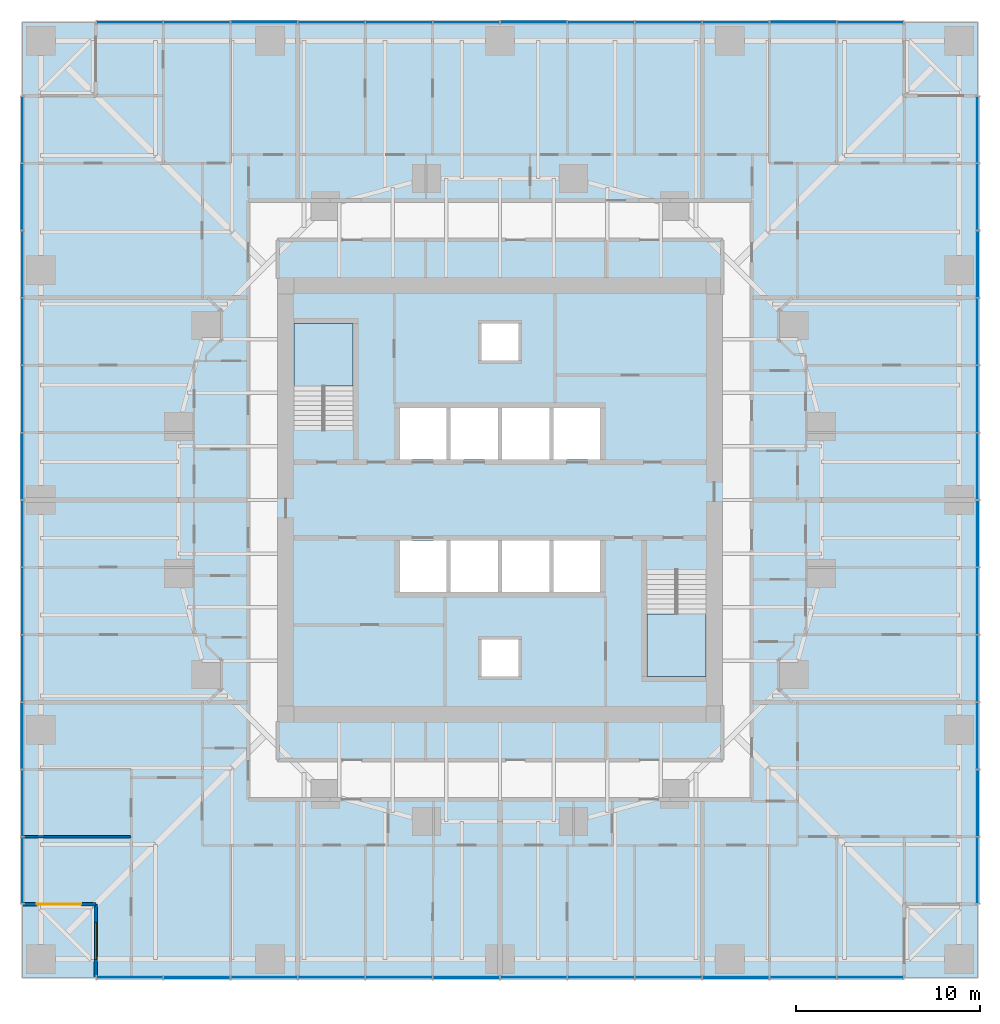
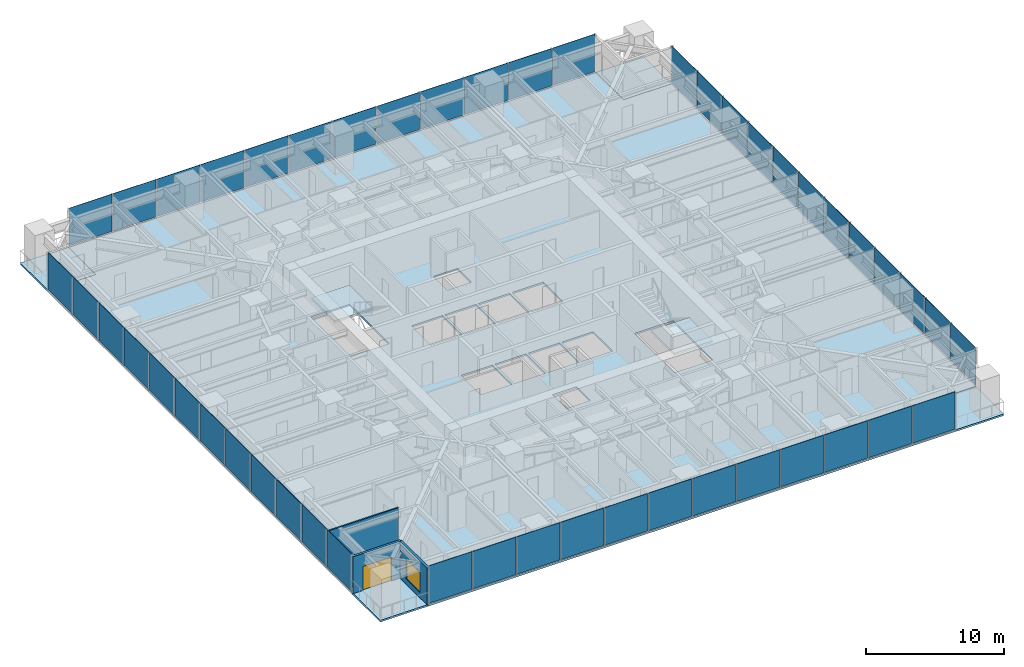
# One storey, part 7 of 18: 48 plates, 7 slabs, 3 walls, 1 door, 1 window, 2 openings, 6 elements without a shape of their own.
"""IFC4 building model written with IfcOpenShell, lengths in metres."""

from ifc_helpers import new_model, si_unit, direction, frame, frame_2d, origin, origin_2d, place, context, subcontext, project, spatial, polyline, rectangle, outline, extrude, material, layer, layer_set, type_object, element, fill, aggregate, save


model = new_model("IFC4")

# Units and contexts
model_context = context("Model", 3, precision=1e-05, world=origin(), true_north=direction((0.0, 1.0)))
body_context = subcontext(model_context, "Body", "Model", "MODEL_VIEW")
ifc_project = project(units=[si_unit("LENGTHUNIT", "METRE"), si_unit("AREAUNIT", "SQUARE_METRE"), si_unit("VOLUMEUNIT", "CUBIC_METRE"), si_unit("PLANEANGLEUNIT", "RADIAN"), si_unit("MASSUNIT", "GRAM", prefix="KILO")], contexts=[model_context])

# Site, building, storey
site_placement = place(None, origin())
site = spatial("IfcSite", under=ifc_project, at=site_placement, CompositionType="ELEMENT")
building_placement = place(site_placement, origin())
building = spatial("IfcBuilding", under=site, at=building_placement, Name="Torsade Residences", CompositionType="ELEMENT")
storey_placement = place(building_placement, frame((0.0, 0.0, 25.199951171875)))
storey = spatial("IfcBuildingStorey", under=building, at=storey_placement, Name="L06", CompositionType="ELEMENT", Elevation=25.199951171875)

# Slab
ifc_material_1 = material(Name="Concrete 40 MPa", Category="concrete")
ifc_layer_1 = layer(ifc_material_1, 0.14990234375)
ifc_layer_set_1 = layer_set([ifc_layer_1], Name="Concrete 40 MPa")
slab_type_1 = type_object("IfcSlabType", Name="COMPOSITE FLOOR SLAB 150", PredefinedType="FLOOR", material=ifc_layer_set_1)
slab_1_placement = place(storey_placement, frame((0.0, 0.0, -0.14990234375)))
element("IfcSlab", 1, at=slab_1_placement, inside=storey, type_object=slab_type_1, Name="Floor slab L06", PredefinedType="FLOOR", context=body_context, shape_type="SweptSolid", body=[
    extrude(outline(polyline([(18.0, 4.0), (62.0, 4.0), (62.0, 8.0), (66.0, 8.0), (66.0, 52.0), (62.0, 52.0), (62.0, 56.0), (18.0, 56.0), (18.0, 52.0), (14.0, 52.0), (14.0, 8.0), (18.0, 8.0), (18.0, 4.0)]), holes=[polyline([(51.199951171875, 20.39990234375), (51.199951171875, 26.1201171875), (48.0, 26.1201171875), (48.0, 20.39990234375), (51.199951171875, 20.39990234375)]), polyline([(45.5, 27.800048828125), (42.89990234375, 27.800048828125), (42.89990234375, 25.0), (45.5, 25.0), (45.5, 27.800048828125)]), polyline([(45.5, 32.199951171875), (45.5, 35.0), (42.89990234375, 35.0), (42.89990234375, 32.199951171875), (45.5, 32.199951171875)]), polyline([(42.699951171875, 25.0), (42.699951171875, 27.800048828125), (40.10009765625, 27.800048828125), (40.10009765625, 25.0), (42.699951171875, 25.0)]), polyline([(42.699951171875, 32.199951171875), (42.699951171875, 35.0), (40.10009765625, 35.0), (40.10009765625, 32.199951171875), (42.699951171875, 32.199951171875)]), polyline([(41.0, 22.39990234375), (39.0, 22.39990234375), (39.0, 20.39990234375), (41.0, 20.39990234375), (41.0, 22.39990234375)]), polyline([(41.0, 37.60009765625), (41.0, 39.60009765625), (39.0, 39.60009765625), (39.0, 37.60009765625), (41.0, 37.60009765625)]), polyline([(39.89990234375, 25.0), (39.89990234375, 27.800048828125), (37.300048828125, 27.800048828125), (37.300048828125, 25.0), (39.89990234375, 25.0)]), polyline([(39.89990234375, 35.0), (37.300048828125, 35.0), (37.300048828125, 32.199951171875), (39.89990234375, 32.199951171875), (39.89990234375, 35.0)]), polyline([(37.10009765625, 27.800048828125), (34.5, 27.800048828125), (34.5, 25.0), (37.10009765625, 25.0), (37.10009765625, 27.800048828125)]), polyline([(37.10009765625, 32.199951171875), (37.10009765625, 35.0), (34.5, 35.0), (34.5, 32.199951171875), (37.10009765625, 32.199951171875)]), polyline([(32.0, 33.8798828125), (32.0, 39.60009765625), (28.800048828125, 39.60009765625), (28.800048828125, 33.8798828125), (32.0, 33.8798828125)])]), origin(), (0.0, 0.0, 1.0), 0.14990234375),
])

# Curtain wall, plates
ifc_material_2 = material(Name="Aluminium and glass", Category="aluminium")
curtain_wall_type = type_object("IfcCurtainWallType", Name="FRITTED GLASS CURTAIN WALL LOW ZONE", PredefinedType="NOTDEFINED", material=ifc_material_2)
curtain_wall_1_placement = place(storey_placement, origin())
curtain_wall_1 = element("IfcCurtainWall", 2, at=curtain_wall_1_placement, inside=storey, type_object=curtain_wall_type, Name="Curtain wall L06 face 1", PredefinedType="NOTDEFINED")
ifc_material_3 = material(Name="Laminated glass", Category="glass")
ifc_layer_2 = layer(ifc_material_3, 0.031982421875)
ifc_layer_set_2 = layer_set([ifc_layer_2], Name="Laminated glass")
plate_type_1 = type_object("IfcPlateType", Name="FRITTED GLASS PANEL", PredefinedType="CURTAIN_PANEL", material=ifc_layer_set_2)
plate_1_placement = place(storey_placement, frame((19.849609375, 4.0, 0.10009765625), z_axis=(0.0, 0.0, 1.0), x_axis=(1.0, 0.0, 0.0)))
plate_1 = element("IfcPlate", 3, at=plate_1_placement, type_object=plate_type_1, Name="Panel 1", PredefinedType="CURTAIN_PANEL", context=body_context, shape_type="SweptSolid", body=[
    extrude(rectangle(XDim=3.569091796875, YDim=0.031982421875, at=origin_2d()), origin(), (0.0, 0.0, 1.0), 3.300048828125),
])
plate_2_placement = place(storey_placement, frame((27.166748046875, 4.0, 0.10009765625), z_axis=(0.0, 0.0, 1.0), x_axis=(1.0, 0.0, 0.0)))
plate_2 = element("IfcPlate", 4, at=plate_2_placement, type_object=plate_type_1, Name="Panel 3", PredefinedType="CURTAIN_PANEL", context=body_context, shape_type="SweptSolid", body=[
    extrude(rectangle(XDim=3.6015625, YDim=0.031982421875, at=origin_2d()), origin(), (0.0, 0.0, 1.0), 3.300048828125),
])
plate_3_placement = place(storey_placement, frame((30.833251953125, 4.0, 0.10009765625), z_axis=(0.0, 0.0, 1.0), x_axis=(1.0, 0.0, 0.0)))
plate_3 = element("IfcPlate", 5, at=plate_3_placement, type_object=plate_type_1, Name="Panel 4", PredefinedType="CURTAIN_PANEL", context=body_context, shape_type="SweptSolid", body=[
    extrude(rectangle(XDim=3.6015625, YDim=0.031982421875, at=origin_2d()), origin(), (0.0, 0.0, 1.0), 3.300048828125),
])
plate_4_placement = place(storey_placement, frame((34.5, 4.0, 0.10009765625), z_axis=(0.0, 0.0, 1.0), x_axis=(1.0, 0.0, 0.0)))
plate_4 = element("IfcPlate", 6, at=plate_4_placement, type_object=plate_type_1, Name="Panel 5", PredefinedType="CURTAIN_PANEL", context=body_context, shape_type="SweptSolid", body=[
    extrude(rectangle(XDim=3.6015625, YDim=0.031982421875, at=origin_2d()), origin(), (0.0, 0.0, 1.0), 3.300048828125),
])
plate_5_placement = place(storey_placement, frame((41.833251953125, 4.0, 0.10009765625), z_axis=(0.0, 0.0, 1.0), x_axis=(1.0, 0.0, 0.0)))
plate_5 = element("IfcPlate", 7, at=plate_5_placement, type_object=plate_type_1, Name="Panel 7", PredefinedType="CURTAIN_PANEL", context=body_context, shape_type="SweptSolid", body=[
    extrude(rectangle(XDim=3.6015625, YDim=0.031982421875, at=origin_2d()), origin(), (0.0, 0.0, 1.0), 3.300048828125),
])
plate_6_placement = place(storey_placement, frame((45.5, 4.0, 0.10009765625), z_axis=(0.0, 0.0, 1.0), x_axis=(1.0, 0.0, 0.0)))
plate_6 = element("IfcPlate", 8, at=plate_6_placement, type_object=plate_type_1, Name="Panel 8", PredefinedType="CURTAIN_PANEL", context=body_context, shape_type="SweptSolid", body=[
    extrude(rectangle(XDim=3.6015625, YDim=0.031982421875, at=origin_2d()), origin(), (0.0, 0.0, 1.0), 3.300048828125),
])
plate_7_placement = place(storey_placement, frame((49.166748046875, 4.0, 0.10009765625), z_axis=(0.0, 0.0, 1.0), x_axis=(1.0, 0.0, 0.0)))
plate_7 = element("IfcPlate", 9, at=plate_7_placement, type_object=plate_type_1, Name="Panel 9", PredefinedType="CURTAIN_PANEL", context=body_context, shape_type="SweptSolid", body=[
    extrude(rectangle(XDim=3.6015625, YDim=0.031982421875, at=origin_2d()), origin(), (0.0, 0.0, 1.0), 3.300048828125),
])
plate_8_placement = place(storey_placement, frame((56.5, 4.0, 0.10009765625), z_axis=(0.0, 0.0, 1.0), x_axis=(1.0, 0.0, 0.0)))
plate_8 = element("IfcPlate", 10, at=plate_8_placement, type_object=plate_type_1, Name="Panel 11", PredefinedType="CURTAIN_PANEL", context=body_context, shape_type="SweptSolid", body=[
    extrude(rectangle(XDim=3.6015625, YDim=0.031982421875, at=origin_2d()), origin(), (0.0, 0.0, 1.0), 3.300048828125),
])
plate_9_placement = place(storey_placement, frame((60.150390625, 4.0, 0.10009765625), z_axis=(0.0, 0.0, 1.0), x_axis=(1.0, 0.0, 0.0)))
plate_9 = element("IfcPlate", 11, at=plate_9_placement, type_object=plate_type_1, Name="Panel 12", PredefinedType="CURTAIN_PANEL", context=body_context, shape_type="SweptSolid", body=[
    extrude(rectangle(XDim=3.569091796875, YDim=0.031982421875, at=origin_2d()), origin(), (0.0, 0.0, 1.0), 3.300048828125),
])

curtain_wall_2_placement = place(storey_placement, origin())
curtain_wall_2 = element("IfcCurtainWall", 12, at=curtain_wall_2_placement, inside=storey, type_object=curtain_wall_type, Name="Curtain wall L06 face 4", PredefinedType="NOTDEFINED")
plate_10_placement = place(storey_placement, frame((66.0, 9.849609375, 0.10009765625), z_axis=(0.0, 0.0, 1.0), x_axis=(0.0, 1.0, 0.0)))
plate_10 = element("IfcPlate", 13, at=plate_10_placement, type_object=plate_type_1, Name="Panel 1", PredefinedType="CURTAIN_PANEL", context=body_context, shape_type="SweptSolid", body=[
    extrude(rectangle(XDim=3.569091796875, YDim=0.031982421875, at=origin_2d()), origin(), (0.0, 0.0, 1.0), 3.300048828125),
])
plate_11_placement = place(storey_placement, frame((66.0, 17.166748046875, 0.10009765625), z_axis=(0.0, 0.0, 1.0), x_axis=(0.0, 1.0, 0.0)))
plate_11 = element("IfcPlate", 14, at=plate_11_placement, type_object=plate_type_1, Name="Panel 3", PredefinedType="CURTAIN_PANEL", context=body_context, shape_type="SweptSolid", body=[
    extrude(rectangle(XDim=3.6015625, YDim=0.031982421875, at=origin_2d()), origin(), (0.0, 0.0, 1.0), 3.300048828125),
])
plate_12_placement = place(storey_placement, frame((66.0, 20.833251953125, 0.10009765625), z_axis=(0.0, 0.0, 1.0), x_axis=(0.0, 1.0, 0.0)))
plate_12 = element("IfcPlate", 15, at=plate_12_placement, type_object=plate_type_1, Name="Panel 4", PredefinedType="CURTAIN_PANEL", context=body_context, shape_type="SweptSolid", body=[
    extrude(rectangle(XDim=3.6015625, YDim=0.031982421875, at=origin_2d()), origin(), (0.0, 0.0, 1.0), 3.300048828125),
])
plate_13_placement = place(storey_placement, frame((66.0, 24.5, 0.10009765625), z_axis=(0.0, 0.0, 1.0), x_axis=(0.0, 1.0, 0.0)))
plate_13 = element("IfcPlate", 16, at=plate_13_placement, type_object=plate_type_1, Name="Panel 5", PredefinedType="CURTAIN_PANEL", context=body_context, shape_type="SweptSolid", body=[
    extrude(rectangle(XDim=3.6015625, YDim=0.031982421875, at=origin_2d()), origin(), (0.0, 0.0, 1.0), 3.300048828125),
])
plate_14_placement = place(storey_placement, frame((66.0, 31.833251953125, 0.10009765625), z_axis=(0.0, 0.0, 1.0), x_axis=(0.0, 1.0, 0.0)))
plate_14 = element("IfcPlate", 17, at=plate_14_placement, type_object=plate_type_1, Name="Panel 7", PredefinedType="CURTAIN_PANEL", context=body_context, shape_type="SweptSolid", body=[
    extrude(rectangle(XDim=3.6015625, YDim=0.031982421875, at=origin_2d()), origin(), (0.0, 0.0, 1.0), 3.300048828125),
])
plate_15_placement = place(storey_placement, frame((66.0, 35.5, 0.10009765625), z_axis=(0.0, 0.0, 1.0), x_axis=(0.0, 1.0, 0.0)))
plate_15 = element("IfcPlate", 18, at=plate_15_placement, type_object=plate_type_1, Name="Panel 8", PredefinedType="CURTAIN_PANEL", context=body_context, shape_type="SweptSolid", body=[
    extrude(rectangle(XDim=3.6015625, YDim=0.031982421875, at=origin_2d()), origin(), (0.0, 0.0, 1.0), 3.300048828125),
])
plate_16_placement = place(storey_placement, frame((66.0, 39.166748046875, 0.10009765625), z_axis=(0.0, 0.0, 1.0), x_axis=(0.0, 1.0, 0.0)))
plate_16 = element("IfcPlate", 19, at=plate_16_placement, type_object=plate_type_1, Name="Panel 9", PredefinedType="CURTAIN_PANEL", context=body_context, shape_type="SweptSolid", body=[
    extrude(rectangle(XDim=3.6015625, YDim=0.031982421875, at=origin_2d()), origin(), (0.0, 0.0, 1.0), 3.300048828125),
])
plate_17_placement = place(storey_placement, frame((66.0, 46.5, 0.10009765625), z_axis=(0.0, 0.0, 1.0), x_axis=(0.0, 1.0, 0.0)))
plate_17 = element("IfcPlate", 20, at=plate_17_placement, type_object=plate_type_1, Name="Panel 11", PredefinedType="CURTAIN_PANEL", context=body_context, shape_type="SweptSolid", body=[
    extrude(rectangle(XDim=3.6015625, YDim=0.031982421875, at=origin_2d()), origin(), (0.0, 0.0, 1.0), 3.300048828125),
])
plate_18_placement = place(storey_placement, frame((66.0, 50.150390625, 0.10009765625), z_axis=(0.0, 0.0, 1.0), x_axis=(0.0, 1.0, 0.0)))
plate_18 = element("IfcPlate", 21, at=plate_18_placement, type_object=plate_type_1, Name="Panel 12", PredefinedType="CURTAIN_PANEL", context=body_context, shape_type="SweptSolid", body=[
    extrude(rectangle(XDim=3.569091796875, YDim=0.031982421875, at=origin_2d()), origin(), (0.0, 0.0, 1.0), 3.300048828125),
])

curtain_wall_3_placement = place(storey_placement, origin())
curtain_wall_3 = element("IfcCurtainWall", 22, at=curtain_wall_3_placement, inside=storey, type_object=curtain_wall_type, Name="Curtain wall L06 face 7", PredefinedType="NOTDEFINED")
plate_19_placement = place(storey_placement, frame((60.150390625, 56.0, 0.10009765625), z_axis=(0.0, 0.0, 1.0), x_axis=(-1.0, 0.0, 0.0)))
plate_19 = element("IfcPlate", 23, at=plate_19_placement, type_object=plate_type_1, Name="Panel 1", PredefinedType="CURTAIN_PANEL", context=body_context, shape_type="SweptSolid", body=[
    extrude(rectangle(XDim=3.569091796875, YDim=0.031982421875, at=origin_2d()), origin(), (0.0, 0.0, 1.0), 3.300048828125),
])
plate_20_placement = place(storey_placement, frame((52.833251953125, 56.0, 0.10009765625), z_axis=(0.0, 0.0, 1.0), x_axis=(-1.0, 0.0, 0.0)))
plate_20 = element("IfcPlate", 24, at=plate_20_placement, type_object=plate_type_1, Name="Panel 3", PredefinedType="CURTAIN_PANEL", context=body_context, shape_type="SweptSolid", body=[
    extrude(rectangle(XDim=3.6015625, YDim=0.031982421875, at=origin_2d()), origin(), (0.0, 0.0, 1.0), 3.300048828125),
])
plate_21_placement = place(storey_placement, frame((49.166748046875, 56.0, 0.10009765625), z_axis=(0.0, 0.0, 1.0), x_axis=(-1.0, 0.0, 0.0)))
plate_21 = element("IfcPlate", 25, at=plate_21_placement, type_object=plate_type_1, Name="Panel 4", PredefinedType="CURTAIN_PANEL", context=body_context, shape_type="SweptSolid", body=[
    extrude(rectangle(XDim=3.6015625, YDim=0.031982421875, at=origin_2d()), origin(), (0.0, 0.0, 1.0), 3.300048828125),
])
plate_22_placement = place(storey_placement, frame((45.5, 56.0, 0.10009765625), z_axis=(0.0, 0.0, 1.0), x_axis=(-1.0, 0.0, 0.0)))
plate_22 = element("IfcPlate", 26, at=plate_22_placement, type_object=plate_type_1, Name="Panel 5", PredefinedType="CURTAIN_PANEL", context=body_context, shape_type="SweptSolid", body=[
    extrude(rectangle(XDim=3.6015625, YDim=0.031982421875, at=origin_2d()), origin(), (0.0, 0.0, 1.0), 3.300048828125),
])
plate_23_placement = place(storey_placement, frame((38.166748046875, 56.0, 0.10009765625), z_axis=(0.0, 0.0, 1.0), x_axis=(-1.0, 0.0, 0.0)))
plate_23 = element("IfcPlate", 27, at=plate_23_placement, type_object=plate_type_1, Name="Panel 7", PredefinedType="CURTAIN_PANEL", context=body_context, shape_type="SweptSolid", body=[
    extrude(rectangle(XDim=3.6015625, YDim=0.031982421875, at=origin_2d()), origin(), (0.0, 0.0, 1.0), 3.300048828125),
])
plate_24_placement = place(storey_placement, frame((34.5, 56.0, 0.10009765625), z_axis=(0.0, 0.0, 1.0), x_axis=(-1.0, 0.0, 0.0)))
plate_24 = element("IfcPlate", 28, at=plate_24_placement, type_object=plate_type_1, Name="Panel 8", PredefinedType="CURTAIN_PANEL", context=body_context, shape_type="SweptSolid", body=[
    extrude(rectangle(XDim=3.6015625, YDim=0.031982421875, at=origin_2d()), origin(), (0.0, 0.0, 1.0), 3.300048828125),
])
plate_25_placement = place(storey_placement, frame((30.833251953125, 56.0, 0.10009765625), z_axis=(0.0, 0.0, 1.0), x_axis=(-1.0, 0.0, 0.0)))
plate_25 = element("IfcPlate", 29, at=plate_25_placement, type_object=plate_type_1, Name="Panel 9", PredefinedType="CURTAIN_PANEL", context=body_context, shape_type="SweptSolid", body=[
    extrude(rectangle(XDim=3.6015625, YDim=0.031982421875, at=origin_2d()), origin(), (0.0, 0.0, 1.0), 3.300048828125),
])
plate_26_placement = place(storey_placement, frame((23.5, 56.0, 0.10009765625), z_axis=(0.0, 0.0, 1.0), x_axis=(-1.0, 0.0, 0.0)))
plate_26 = element("IfcPlate", 30, at=plate_26_placement, type_object=plate_type_1, Name="Panel 11", PredefinedType="CURTAIN_PANEL", context=body_context, shape_type="SweptSolid", body=[
    extrude(rectangle(XDim=3.6015625, YDim=0.031982421875, at=origin_2d()), origin(), (0.0, 0.0, 1.0), 3.300048828125),
])
plate_27_placement = place(storey_placement, frame((19.849609375, 56.0, 0.10009765625), z_axis=(0.0, 0.0, 1.0), x_axis=(-1.0, 0.0, 0.0)))
plate_27 = element("IfcPlate", 31, at=plate_27_placement, type_object=plate_type_1, Name="Panel 12", PredefinedType="CURTAIN_PANEL", context=body_context, shape_type="SweptSolid", body=[
    extrude(rectangle(XDim=3.569091796875, YDim=0.031982421875, at=origin_2d()), origin(), (0.0, 0.0, 1.0), 3.300048828125),
])

curtain_wall_4_placement = place(storey_placement, origin())
curtain_wall_4 = element("IfcCurtainWall", 32, at=curtain_wall_4_placement, inside=storey, type_object=curtain_wall_type, Name="Curtain wall L06 face 10", PredefinedType="NOTDEFINED")
plate_28_placement = place(storey_placement, frame((14.0, 50.150390625, 0.10009765625), z_axis=(0.0, 0.0, 1.0), x_axis=(0.0, -1.0, 0.0)))
plate_28 = element("IfcPlate", 33, at=plate_28_placement, type_object=plate_type_1, Name="Panel 1", PredefinedType="CURTAIN_PANEL", context=body_context, shape_type="SweptSolid", body=[
    extrude(rectangle(XDim=3.569091796875, YDim=0.031982421875, at=origin_2d()), origin(), (0.0, 0.0, 1.0), 3.300048828125),
])
plate_29_placement = place(storey_placement, frame((14.0, 42.833251953125, 0.10009765625), z_axis=(0.0, 0.0, 1.0), x_axis=(0.0, -1.0, 0.0)))
plate_29 = element("IfcPlate", 34, at=plate_29_placement, type_object=plate_type_1, Name="Panel 3", PredefinedType="CURTAIN_PANEL", context=body_context, shape_type="SweptSolid", body=[
    extrude(rectangle(XDim=3.6015625, YDim=0.031982421875, at=origin_2d()), origin(), (0.0, 0.0, 1.0), 3.300048828125),
])
plate_30_placement = place(storey_placement, frame((14.0, 39.166748046875, 0.10009765625), z_axis=(0.0, 0.0, 1.0), x_axis=(0.0, -1.0, 0.0)))
plate_30 = element("IfcPlate", 35, at=plate_30_placement, type_object=plate_type_1, Name="Panel 4", PredefinedType="CURTAIN_PANEL", context=body_context, shape_type="SweptSolid", body=[
    extrude(rectangle(XDim=3.6015625, YDim=0.031982421875, at=origin_2d()), origin(), (0.0, 0.0, 1.0), 3.300048828125),
])
plate_31_placement = place(storey_placement, frame((14.0, 35.5, 0.10009765625), z_axis=(0.0, 0.0, 1.0), x_axis=(0.0, -1.0, 0.0)))
plate_31 = element("IfcPlate", 36, at=plate_31_placement, type_object=plate_type_1, Name="Panel 5", PredefinedType="CURTAIN_PANEL", context=body_context, shape_type="SweptSolid", body=[
    extrude(rectangle(XDim=3.6015625, YDim=0.031982421875, at=origin_2d()), origin(), (0.0, 0.0, 1.0), 3.300048828125),
])
plate_32_placement = place(storey_placement, frame((14.0, 28.166748046875, 0.10009765625), z_axis=(0.0, 0.0, 1.0), x_axis=(0.0, -1.0, 0.0)))
plate_32 = element("IfcPlate", 37, at=plate_32_placement, type_object=plate_type_1, Name="Panel 7", PredefinedType="CURTAIN_PANEL", context=body_context, shape_type="SweptSolid", body=[
    extrude(rectangle(XDim=3.6015625, YDim=0.031982421875, at=origin_2d()), origin(), (0.0, 0.0, 1.0), 3.300048828125),
])
plate_33_placement = place(storey_placement, frame((14.0, 24.5, 0.10009765625), z_axis=(0.0, 0.0, 1.0), x_axis=(0.0, -1.0, 0.0)))
plate_33 = element("IfcPlate", 38, at=plate_33_placement, type_object=plate_type_1, Name="Panel 8", PredefinedType="CURTAIN_PANEL", context=body_context, shape_type="SweptSolid", body=[
    extrude(rectangle(XDim=3.6015625, YDim=0.031982421875, at=origin_2d()), origin(), (0.0, 0.0, 1.0), 3.300048828125),
])
plate_34_placement = place(storey_placement, frame((14.0, 20.833251953125, 0.10009765625), z_axis=(0.0, 0.0, 1.0), x_axis=(0.0, -1.0, 0.0)))
plate_34 = element("IfcPlate", 39, at=plate_34_placement, type_object=plate_type_1, Name="Panel 9", PredefinedType="CURTAIN_PANEL", context=body_context, shape_type="SweptSolid", body=[
    extrude(rectangle(XDim=3.6015625, YDim=0.031982421875, at=origin_2d()), origin(), (0.0, 0.0, 1.0), 3.300048828125),
])
plate_35_placement = place(storey_placement, frame((14.0, 13.5, 0.10009765625), z_axis=(0.0, 0.0, 1.0), x_axis=(0.0, -1.0, 0.0)))
plate_35 = element("IfcPlate", 40, at=plate_35_placement, type_object=plate_type_1, Name="Panel 11", PredefinedType="CURTAIN_PANEL", context=body_context, shape_type="SweptSolid", body=[
    extrude(rectangle(XDim=3.6015625, YDim=0.031982421875, at=origin_2d()), origin(), (0.0, 0.0, 1.0), 3.300048828125),
])
plate_36_placement = place(storey_placement, frame((14.0, 9.849609375, 0.10009765625), z_axis=(0.0, 0.0, 1.0), x_axis=(0.0, -1.0, 0.0)))
plate_36 = element("IfcPlate", 41, at=plate_36_placement, type_object=plate_type_1, Name="Panel 12", PredefinedType="CURTAIN_PANEL", context=body_context, shape_type="SweptSolid", body=[
    extrude(rectangle(XDim=3.569091796875, YDim=0.031982421875, at=origin_2d()), origin(), (0.0, 0.0, 1.0), 3.300048828125),
])

# Plate
ifc_material_4 = material(Name="Laminated glass", Category="glass")
ifc_layer_3 = layer(ifc_material_4, 0.0400390625)
ifc_layer_set_3 = layer_set([ifc_layer_3], Name="Laminated glass")
plate_type_2 = type_object("IfcPlateType", Name="OPERABLE VENT PANEL", PredefinedType="CURTAIN_PANEL", material=ifc_layer_set_3)
plate_37_placement = place(storey_placement, frame((23.5, 4.0, 0.10009765625), z_axis=(0.0, 0.0, 1.0), x_axis=(1.0, 0.0, 0.0)))
plate_37 = element("IfcPlate", 42, at=plate_37_placement, type_object=plate_type_2, Name="Panel 2", PredefinedType="CURTAIN_PANEL", context=body_context, shape_type="SweptSolid", body=[
    extrude(rectangle(XDim=3.6015625, YDim=0.0400390625, at=origin_2d()), origin(), (0.0, 0.0, 1.0), 3.300048828125),
])

plate_38_placement = place(storey_placement, frame((38.166748046875, 4.0, 0.10009765625), z_axis=(0.0, 0.0, 1.0), x_axis=(1.0, 0.0, 0.0)))
plate_38 = element("IfcPlate", 43, at=plate_38_placement, type_object=plate_type_2, Name="Panel 6", PredefinedType="CURTAIN_PANEL", context=body_context, shape_type="SweptSolid", body=[
    extrude(rectangle(XDim=3.6015625, YDim=0.0400390625, at=origin_2d()), origin(), (0.0, 0.0, 1.0), 3.300048828125),
])

plate_39_placement = place(storey_placement, frame((52.833251953125, 4.0, 0.10009765625), z_axis=(0.0, 0.0, 1.0), x_axis=(1.0, 0.0, 0.0)))
plate_39 = element("IfcPlate", 44, at=plate_39_placement, type_object=plate_type_2, Name="Panel 10", PredefinedType="CURTAIN_PANEL", context=body_context, shape_type="SweptSolid", body=[
    extrude(rectangle(XDim=3.6015625, YDim=0.0400390625, at=origin_2d()), origin(), (0.0, 0.0, 1.0), 3.300048828125),
])

aggregate(curtain_wall_1, [plate_1, plate_37, plate_2, plate_3, plate_4, plate_38, plate_5, plate_6, plate_7, plate_39, plate_8, plate_9])

plate_40_placement = place(storey_placement, frame((66.0, 13.5, 0.10009765625), z_axis=(0.0, 0.0, 1.0), x_axis=(0.0, 1.0, 0.0)))
plate_40 = element("IfcPlate", 45, at=plate_40_placement, type_object=plate_type_2, Name="Panel 2", PredefinedType="CURTAIN_PANEL", context=body_context, shape_type="SweptSolid", body=[
    extrude(rectangle(XDim=3.6015625, YDim=0.0400390625, at=origin_2d()), origin(), (0.0, 0.0, 1.0), 3.300048828125),
])

plate_41_placement = place(storey_placement, frame((66.0, 28.166748046875, 0.10009765625), z_axis=(0.0, 0.0, 1.0), x_axis=(0.0, 1.0, 0.0)))
plate_41 = element("IfcPlate", 46, at=plate_41_placement, type_object=plate_type_2, Name="Panel 6", PredefinedType="CURTAIN_PANEL", context=body_context, shape_type="SweptSolid", body=[
    extrude(rectangle(XDim=3.6015625, YDim=0.0400390625, at=origin_2d()), origin(), (0.0, 0.0, 1.0), 3.300048828125),
])

plate_42_placement = place(storey_placement, frame((66.0, 42.833251953125, 0.10009765625), z_axis=(0.0, 0.0, 1.0), x_axis=(0.0, 1.0, 0.0)))
plate_42 = element("IfcPlate", 47, at=plate_42_placement, type_object=plate_type_2, Name="Panel 10", PredefinedType="CURTAIN_PANEL", context=body_context, shape_type="SweptSolid", body=[
    extrude(rectangle(XDim=3.6015625, YDim=0.0400390625, at=origin_2d()), origin(), (0.0, 0.0, 1.0), 3.300048828125),
])

aggregate(curtain_wall_2, [plate_10, plate_40, plate_11, plate_12, plate_13, plate_41, plate_14, plate_15, plate_16, plate_42, plate_17, plate_18])

plate_43_placement = place(storey_placement, frame((56.5, 56.0, 0.10009765625), z_axis=(0.0, 0.0, 1.0), x_axis=(-1.0, 0.0, 0.0)))
plate_43 = element("IfcPlate", 48, at=plate_43_placement, type_object=plate_type_2, Name="Panel 2", PredefinedType="CURTAIN_PANEL", context=body_context, shape_type="SweptSolid", body=[
    extrude(rectangle(XDim=3.6015625, YDim=0.0400390625, at=origin_2d()), origin(), (0.0, 0.0, 1.0), 3.300048828125),
])

plate_44_placement = place(storey_placement, frame((41.833251953125, 56.0, 0.10009765625), z_axis=(0.0, 0.0, 1.0), x_axis=(-1.0, 0.0, 0.0)))
plate_44 = element("IfcPlate", 49, at=plate_44_placement, type_object=plate_type_2, Name="Panel 6", PredefinedType="CURTAIN_PANEL", context=body_context, shape_type="SweptSolid", body=[
    extrude(rectangle(XDim=3.6015625, YDim=0.0400390625, at=origin_2d()), origin(), (0.0, 0.0, 1.0), 3.300048828125),
])

plate_45_placement = place(storey_placement, frame((27.166748046875, 56.0, 0.10009765625), z_axis=(0.0, 0.0, 1.0), x_axis=(-1.0, 0.0, 0.0)))
plate_45 = element("IfcPlate", 50, at=plate_45_placement, type_object=plate_type_2, Name="Panel 10", PredefinedType="CURTAIN_PANEL", context=body_context, shape_type="SweptSolid", body=[
    extrude(rectangle(XDim=3.6015625, YDim=0.0400390625, at=origin_2d()), origin(), (0.0, 0.0, 1.0), 3.300048828125),
])

aggregate(curtain_wall_3, [plate_19, plate_43, plate_20, plate_21, plate_22, plate_44, plate_23, plate_24, plate_25, plate_45, plate_26, plate_27])

plate_46_placement = place(storey_placement, frame((14.0, 46.5, 0.10009765625), z_axis=(0.0, 0.0, 1.0), x_axis=(0.0, -1.0, 0.0)))
plate_46 = element("IfcPlate", 51, at=plate_46_placement, type_object=plate_type_2, Name="Panel 2", PredefinedType="CURTAIN_PANEL", context=body_context, shape_type="SweptSolid", body=[
    extrude(rectangle(XDim=3.6015625, YDim=0.0400390625, at=origin_2d()), origin(), (0.0, 0.0, 1.0), 3.300048828125),
])

plate_47_placement = place(storey_placement, frame((14.0, 31.833251953125, 0.10009765625), z_axis=(0.0, 0.0, 1.0), x_axis=(0.0, -1.0, 0.0)))
plate_47 = element("IfcPlate", 52, at=plate_47_placement, type_object=plate_type_2, Name="Panel 6", PredefinedType="CURTAIN_PANEL", context=body_context, shape_type="SweptSolid", body=[
    extrude(rectangle(XDim=3.6015625, YDim=0.0400390625, at=origin_2d()), origin(), (0.0, 0.0, 1.0), 3.300048828125),
])

plate_48_placement = place(storey_placement, frame((14.0, 17.166748046875, 0.10009765625), z_axis=(0.0, 0.0, 1.0), x_axis=(0.0, -1.0, 0.0)))
plate_48 = element("IfcPlate", 53, at=plate_48_placement, type_object=plate_type_2, Name="Panel 10", PredefinedType="CURTAIN_PANEL", context=body_context, shape_type="SweptSolid", body=[
    extrude(rectangle(XDim=3.6015625, YDim=0.0400390625, at=origin_2d()), origin(), (0.0, 0.0, 1.0), 3.300048828125),
])

aggregate(curtain_wall_4, [plate_28, plate_46, plate_29, plate_30, plate_31, plate_47, plate_32, plate_33, plate_34, plate_48, plate_35, plate_36])

# Stair, slab
ifc_material_5 = material(Name="Precast concrete 40 MPa", Category="concrete")
stair_type = type_object("IfcStairType", Name="HALF-TURN FIRE STAIR 1500x3400", PredefinedType="HALF_TURN_STAIR", material=ifc_material_5)
stair_1_placement = place(storey_placement, origin())
stair_1 = element("IfcStair", 54, at=stair_1_placement, inside=storey, type_object=stair_type, Name="Stair ST1 L06", PredefinedType="HALF_TURN_STAIR")
ifc_material_6 = material(Name="Precast concrete 40 MPa", Category="concrete")
ifc_layer_4 = layer(ifc_material_6, 0.179931640625)
ifc_layer_set_4 = layer_set([ifc_layer_4], Name="Precast concrete 40 MPa")
slab_type_2 = type_object("IfcSlabType", Name="PRECAST STAIR LANDING 180", PredefinedType="LANDING", material=ifc_layer_set_4)
slab_2_placement = place(storey_placement, frame((0.0, 0.0, 1.52001953125)))
slab_2 = element("IfcSlab", 55, at=slab_2_placement, type_object=slab_type_2, Name="ST1 landing 1", PredefinedType="LANDING", context=body_context, shape_type="SweptSolid", body=[
    extrude(outline(polyline([(28.800048828125, 36.2099609375), (32.0, 36.2099609375), (32.0, 39.60009765625), (28.800048828125, 39.60009765625), (28.800048828125, 36.2099609375)])), origin(), (0.0, 0.0, 1.0), 0.179931640625),
])
aggregate(stair_1, [slab_2])

stair_2_placement = place(storey_placement, origin())
stair_2 = element("IfcStair", 56, at=stair_2_placement, inside=storey, type_object=stair_type, Name="Stair ST2 L06", PredefinedType="HALF_TURN_STAIR")
slab_3_placement = place(storey_placement, frame((0.0, 0.0, 1.52001953125)))
slab_3 = element("IfcSlab", 57, at=slab_3_placement, type_object=slab_type_2, Name="ST2 landing 1", PredefinedType="LANDING", context=body_context, shape_type="SweptSolid", body=[
    extrude(outline(polyline([(48.0, 20.39990234375), (51.199951171875, 20.39990234375), (51.199951171875, 23.7900390625), (48.0, 23.7900390625), (48.0, 20.39990234375)])), origin(), (0.0, 0.0, 1.0), 0.179931640625),
])
aggregate(stair_2, [slab_3])

# Slabs
ifc_material_7 = material(Name="Concrete 40 MPa", Category="concrete")
ifc_layer_5 = layer(ifc_material_7, 0.14990234375)
ifc_layer_set_5 = layer_set([ifc_layer_5], Name="Concrete 40 MPa")
slab_type_3 = type_object("IfcSlabType", Name="TERRACE SLAB 150", PredefinedType="FLOOR", material=ifc_layer_set_5)
slab_4_placement = place(storey_placement, frame((0.0, 0.0, -0.14990234375)))
element("IfcSlab", 58, at=slab_4_placement, inside=storey, type_object=slab_type_3, Name="Corner terrace slab SE L06", PredefinedType="FLOOR", context=body_context, shape_type="SweptSolid", body=[
    extrude(outline(polyline([(62.0, 4.0), (66.0, 4.0), (66.0, 8.0), (62.0, 8.0), (62.0, 4.0)])), origin(), (0.0, 0.0, 1.0), 0.14990234375),
])
slab_5_placement = place(storey_placement, frame((0.0, 0.0, -0.14990234375)))
element("IfcSlab", 59, at=slab_5_placement, inside=storey, type_object=slab_type_3, Name="Corner terrace slab NE L06", PredefinedType="FLOOR", context=body_context, shape_type="SweptSolid", body=[
    extrude(outline(polyline([(62.0, 52.0), (66.0, 52.0), (66.0, 56.0), (62.0, 56.0), (62.0, 52.0)])), origin(), (0.0, 0.0, 1.0), 0.14990234375),
])
slab_6_placement = place(storey_placement, frame((0.0, 0.0, -0.14990234375)))
element("IfcSlab", 60, at=slab_6_placement, inside=storey, type_object=slab_type_3, Name="Corner terrace slab NW L06", PredefinedType="FLOOR", context=body_context, shape_type="SweptSolid", body=[
    extrude(outline(polyline([(14.0, 52.0), (18.0, 52.0), (18.0, 56.0), (14.0, 56.0), (14.0, 52.0)])), origin(), (0.0, 0.0, 1.0), 0.14990234375),
])
slab_7_placement = place(storey_placement, frame((0.0, 0.0, -0.14990234375)))
element("IfcSlab", 61, at=slab_7_placement, inside=storey, type_object=slab_type_3, Name="Corner terrace slab SW L06", PredefinedType="FLOOR", context=body_context, shape_type="SweptSolid", body=[
    extrude(outline(polyline([(14.0, 4.0), (18.0, 4.0), (18.0, 8.0), (14.0, 8.0), (14.0, 4.0)])), origin(), (0.0, 0.0, 1.0), 0.14990234375),
])

# Wall
ifc_material_8 = material(Name="Plasterboard on steel stud", Category="steel")
ifc_layer_6 = layer(ifc_material_8, 0.1201171875)
ifc_layer_set_6 = layer_set([ifc_layer_6], Name="Plasterboard on steel stud")
wall_type_1 = type_object("IfcWallType", Name="PARTITION 120", PredefinedType="PARTITIONING", material=ifc_layer_set_6)
wall_1_placement = place(storey_placement, frame((14.0400390625, 11.666748046875, 0.0), z_axis=(0.0, 0.0, 1.0), x_axis=(1.0, 0.0, 0.0)))
element("IfcWall", 62, at=wall_1_placement, inside=storey, type_object=wall_type_1, Name="Partition L06", PredefinedType="PARTITIONING", context=body_context, shape_type="SweptSolid", body=[
    extrude(rectangle(XDim=5.886962890625, YDim=0.1201171875, at=frame_2d((2.943359375, 0.0))), origin(), (0.0, 0.0, 1.0), 3.25),
])

# Wall, opening, door
ifc_material_9 = material(Name="Stone-faced precast concrete 40 MPa panel", Category="masonry")
ifc_layer_7 = layer(ifc_material_9, 0.199951171875)
ifc_layer_set_7 = layer_set([ifc_layer_7], Name="Stone-faced precast concrete 40 MPa panel")
wall_type_2 = type_object("IfcWallType", Name="TERRACE WALL 200", PredefinedType="SOLIDWALL", material=ifc_layer_set_7)
wall_2_placement = place(storey_placement, frame((14.0, 8.0, 0.0), z_axis=(0.0, 0.0, 1.0), x_axis=(1.0, 0.0, 0.0)))
wall_2 = element("IfcWall", 63, at=wall_2_placement, inside=storey, type_object=wall_type_2, Name="Terrace wall L06 11", PredefinedType="SOLIDWALL", context=body_context, shape_type="SweptSolid", body=[
    extrude(rectangle(XDim=4.0, YDim=0.199951171875, at=frame_2d((2.0, 0.0))), origin(), (0.0, 0.0, 1.0), 3.25),
])
opening_1_placement = place(wall_2_placement, frame((0.800048828125, 0.0, 0.0)))
opening_1 = element("IfcOpeningElement", 64, at=opening_1_placement, cuts=wall_2, Name="Opening D10A", PredefinedType="OPENING", context=body_context, shape_type="SweptSolid", body=[
    extrude(rectangle(XDim=2.39990234375, YDim=2.10009765625, at=frame_2d((1.199951171875, 1.050048828125))), frame((0.0, 0.10986328125, 0.0), z_axis=(0.0, -1.0, 0.0), x_axis=(1.0, 0.0, 0.0)), (0.0, 0.0, 1.0), 0.219970703125),
])
ifc_material_10 = material(Name="Aluminium-framed glass door", Category="aluminium")
door_type = type_object("IfcDoorType", Name="TERRACE SLIDING DOOR 2400x2100", OperationType="SLIDING_TO_LEFT", PredefinedType="DOOR", material=ifc_material_10)
door_placement = place(opening_1_placement, origin())
door = element("IfcDoor", 65, at=door_placement, inside=storey, type_object=door_type, Name="Terrace door L06 11", OperationType="SLIDING_TO_LEFT", OverallHeight=2.10009765625, OverallWidth=2.39990234375, PredefinedType="DOOR", context=body_context, shape_type="SweptSolid", body=[
    extrude(rectangle(XDim=2.39990234375, YDim=2.10009765625, at=frame_2d((1.199951171875, 1.050048828125))), frame((0.0, 0.02490234375, 0.0), z_axis=(0.0, -1.0, 0.0), x_axis=(1.0, 0.0, 0.0)), (0.0, 0.0, 1.0), 0.050048828125),
])
fill(opening_1, door)

# Wall, opening, window
wall_3_placement = place(storey_placement, frame((18.0, 8.0, 0.0), z_axis=(0.0, 0.0, 1.0), x_axis=(0.0, -1.0, 0.0)))
wall_3 = element("IfcWall", 66, at=wall_3_placement, inside=storey, type_object=wall_type_2, Name="Terrace wall L06 12", PredefinedType="SOLIDWALL", context=body_context, shape_type="SweptSolid", body=[
    extrude(rectangle(XDim=4.0, YDim=0.199951171875, at=frame_2d((2.0, 0.0))), origin(), (0.0, 0.0, 1.0), 3.25),
])
opening_2_placement = place(wall_3_placement, frame((1.0, 0.0, 0.449951171875)))
opening_2 = element("IfcOpeningElement", 67, at=opening_2_placement, cuts=wall_3, Name="Opening W1B", PredefinedType="OPENING", context=body_context, shape_type="SweptSolid", body=[
    extrude(rectangle(XDim=2.0, YDim=1.800048828125, at=frame_2d((1.0, 0.89990234375))), frame((0.0, 0.10986328125, 0.0), z_axis=(0.0, -1.0, 0.0), x_axis=(1.0, 0.0, 0.0)), (0.0, 0.0, 1.0), 0.219970703125),
])
ifc_material_11 = material(Name="Aluminium-framed glass window", Category="aluminium")
window_type = type_object("IfcWindowType", Name="TERRACE WINDOW 2000x1800", PartitioningType="SINGLE_PANEL", PredefinedType="WINDOW", material=ifc_material_11)
window_placement = place(opening_2_placement, origin())
window = element("IfcWindow", 68, at=window_placement, inside=storey, type_object=window_type, Name="Terrace window L06 12", OverallHeight=1.800048828125, OverallWidth=2.0, PartitioningType="SINGLE_PANEL", PredefinedType="WINDOW", context=body_context, shape_type="SweptSolid", body=[
    extrude(rectangle(XDim=2.0, YDim=1.800048828125, at=frame_2d((1.0, 0.89990234375))), frame((0.0, 0.030029296875, 0.0), z_axis=(0.0, -1.0, 0.0), x_axis=(1.0, 0.0, 0.0)), (0.0, 0.0, 1.0), 0.06005859375),
])
fill(opening_2, window)

save(model, "model.ifc")
